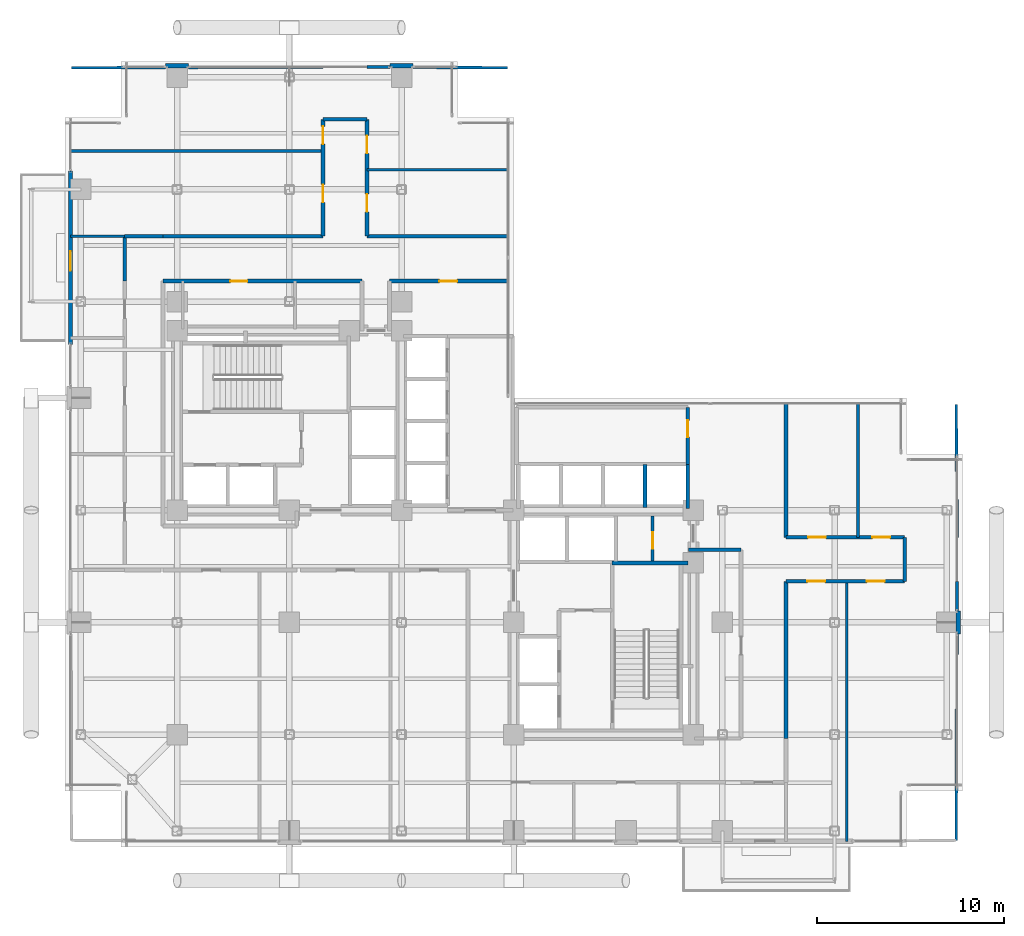
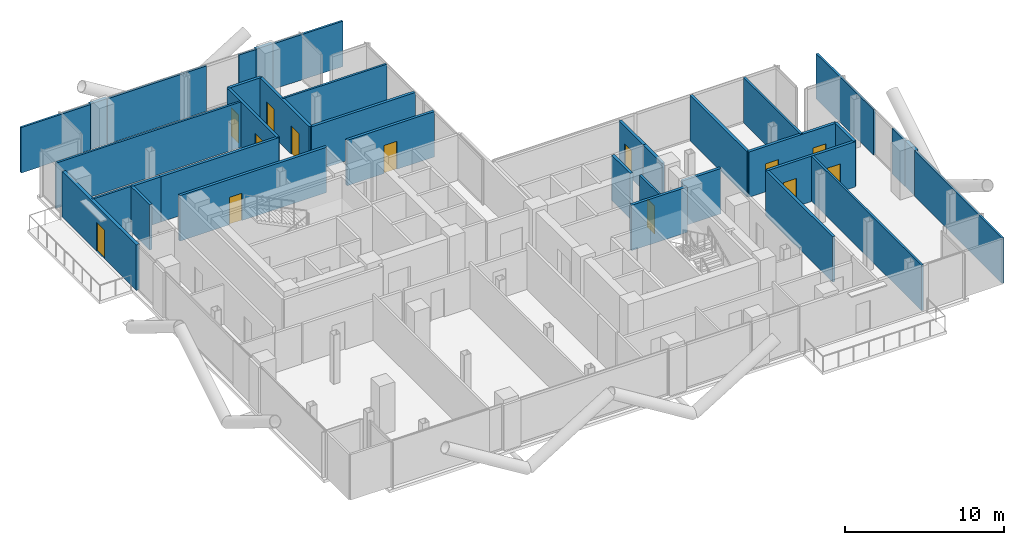
# One storey, part 24 of 28: 36 walls, 13 doors, 13 openings.
"""IFC4 building model written with IfcOpenShell, lengths in metres."""

from ifc_helpers import new_model, si_unit, direction, frame, frame_2d, origin, place, context, subcontext, project, spatial, rectangle, extrude, material, layer, layer_set, type_object, element, fill, save


model = new_model("IFC4")

# Units and contexts
model_context = context("Model", 3, precision=1e-05, world=origin(), true_north=direction((0.0, 1.0)))
body_context = subcontext(model_context, "Body", "Model", "MODEL_VIEW")
ifc_project = project(units=[si_unit("LENGTHUNIT", "METRE"), si_unit("AREAUNIT", "SQUARE_METRE"), si_unit("VOLUMEUNIT", "CUBIC_METRE"), si_unit("PLANEANGLEUNIT", "RADIAN"), si_unit("MASSUNIT", "GRAM", prefix="KILO"), si_unit("THERMODYNAMICTEMPERATUREUNIT", "KELVIN"), si_unit("POWERUNIT", "WATT")], contexts=[model_context])

# Site, building, storey
site_placement = place(None, origin())
site = spatial("IfcSite", under=ifc_project, at=site_placement, CompositionType="ELEMENT")
building_placement = place(site_placement, origin())
building = spatial("IfcBuilding", under=site, at=building_placement, Name="Svarakhadi Broadcast Tower", CompositionType="ELEMENT")
storey_placement = place(building_placement, frame((0.0, 0.0, 107.10009765625)))
storey = spatial("IfcBuildingStorey", under=building, at=storey_placement, Name="L25", CompositionType="ELEMENT", Elevation=107.10009765625)

# Walls
ifc_material_1 = material(Name="Double-Stud Acoustic Studio Partition STC-62", Category="gypsum")
ifc_layer_1 = layer(ifc_material_1, 0.199951171875)
ifc_layer_set_1 = layer_set([ifc_layer_1], Name="Double-Stud Acoustic Studio Partition STC-62")
wall_type_1 = type_object("IfcWallType", Name="Wall_Acoust_200", PredefinedType="PARTITIONING", material=ifc_layer_set_1)
wall_1_placement = place(storey_placement, frame((36.14990234375, 15.8798828125, 0.0), z_axis=(0.0, 0.0, 1.0), x_axis=(-1.0, 0.0, 0.0)))
element("IfcWall", 1, at=wall_1_placement, inside=storey, type_object=wall_type_1, Name="L25 Broadcast Corridor Wall", PredefinedType="PARTITIONING", context=body_context, shape_type="SweptSolid", body=[
    extrude(rectangle(XDim=2.809814453125, YDim=0.199951171875, at=frame_2d((1.40478515625, 0.0))), origin(), (0.0, 0.0, 1.0), 3.474853515625),
])
wall_2_placement = place(storey_placement, frame((38.550048828125, 23.699951171875, 0.0), z_axis=(0.0, 0.0, 1.0), x_axis=(0.0, -1.0, 0.0)))
element("IfcWall", 2, at=wall_2_placement, inside=storey, type_object=wall_type_1, Name="L25 Broadcast Corridor Wall", PredefinedType="PARTITIONING", context=body_context, shape_type="SweptSolid", body=[
    extrude(rectangle(XDim=7.14990234375, YDim=0.199951171875, at=frame_2d((3.574951171875, 0.0))), origin(), (0.0, 0.0, 1.0), 3.474853515625),
])

# Wall, openings, doors
wall_3_placement = place(storey_placement, frame((38.550048828125, 16.550048828125, 0.0), z_axis=(0.0, 0.0, 1.0), x_axis=(1.0, 0.0, 0.0)))
wall_3 = element("IfcWall", 3, at=wall_3_placement, inside=storey, type_object=wall_type_1, Name="L25 Broadcast Corridor Wall", PredefinedType="PARTITIONING", context=body_context, shape_type="SweptSolid", body=[
    extrude(rectangle(XDim=6.349853515625, YDim=0.199951171875, at=frame_2d((3.1748046875, 0.0))), origin(), (0.0, 0.0, 1.0), 3.474853515625),
])
opening_1_placement = place(wall_3_placement, frame((1.179931640625, 0.0, 0.0)))
opening_1 = element("IfcOpeningElement", 4, at=opening_1_placement, cuts=wall_3, Name="Opening D-06", PredefinedType="OPENING", context=body_context, shape_type="SweptSolid", body=[
    extrude(rectangle(XDim=0.949951171875, YDim=2.14990234375, at=frame_2d((0.47509765625, 1.074951171875))), frame((0.0, 0.10986328125, 0.0), z_axis=(0.0, -1.0, 0.0), x_axis=(1.0, 0.0, 0.0)), (0.0, 0.0, 1.0), 0.219970703125),
])
opening_2_placement = place(wall_3_placement, frame((4.625, 0.0, 0.0)))
opening_2 = element("IfcOpeningElement", 5, at=opening_2_placement, cuts=wall_3, Name="Opening D-07", PredefinedType="OPENING", context=body_context, shape_type="SweptSolid", body=[
    extrude(rectangle(XDim=0.949951171875, YDim=2.14990234375, at=frame_2d((0.47509765625, 1.074951171875))), frame((0.0, 0.10986328125, 0.0), z_axis=(0.0, -1.0, 0.0), x_axis=(1.0, 0.0, 0.0)), (0.0, 0.0, 1.0), 0.219970703125),
])
ifc_material_2 = material(Name="Solid-Core Teak Veneer Acoustic Timber Leaf", Category="wood")
door_type_1 = type_object("IfcDoorType", Name="Door_Office_D06", OperationType="SINGLE_SWING_LEFT", PredefinedType="DOOR", material=ifc_material_2)
door_1_placement = place(opening_1_placement, origin())
door_1 = element("IfcDoor", 6, at=door_1_placement, inside=storey, type_object=door_type_1, Name="L25 Broadcast Acoustic Booth Door", OperationType="SINGLE_SWING_LEFT", OverallHeight=2.14990234375, OverallWidth=0.949951171875, PredefinedType="DOOR", context=body_context, shape_type="SweptSolid", body=[
    extrude(rectangle(XDim=0.949951171875, YDim=2.14990234375, at=frame_2d((0.47509765625, 1.074951171875))), frame((0.0, 0.02490234375, 0.0), z_axis=(0.0, -1.0, 0.0), x_axis=(1.0, 0.0, 0.0)), (0.0, 0.0, 1.0), 0.050048828125),
])
fill(opening_1, door_1)
door_type_2 = type_object("IfcDoorType", Name="Door_Office_D07", OperationType="SINGLE_SWING_RIGHT", PredefinedType="DOOR", material=ifc_material_2)
door_2_placement = place(opening_2_placement, origin())
door_2 = element("IfcDoor", 7, at=door_2_placement, inside=storey, type_object=door_type_2, Name="L25 Broadcast Equipment Operations Room Door", OperationType="SINGLE_SWING_RIGHT", OverallHeight=2.14990234375, OverallWidth=0.949951171875, PredefinedType="DOOR", context=body_context, shape_type="SweptSolid", body=[
    extrude(rectangle(XDim=0.949951171875, YDim=2.14990234375, at=frame_2d((0.47509765625, 1.074951171875))), frame((0.0, 0.02490234375, 0.0), z_axis=(0.0, -1.0, 0.0), x_axis=(1.0, 0.0, 0.0)), (0.0, 0.0, 1.0), 0.050048828125),
])
fill(opening_2, door_2)

# Wall
wall_4_placement = place(storey_placement, frame((44.89990234375, 16.550048828125, 0.0), z_axis=(0.0, 0.0, 1.0), x_axis=(0.0, -1.0, 0.0)))
element("IfcWall", 8, at=wall_4_placement, inside=storey, type_object=wall_type_1, Name="L25 Broadcast Corridor Wall", PredefinedType="PARTITIONING", context=body_context, shape_type="SweptSolid", body=[
    extrude(rectangle(XDim=2.35009765625, YDim=0.199951171875, at=frame_2d((1.175048828125, 0.0))), origin(), (0.0, 0.0, 1.0), 3.474853515625),
])

# Wall, openings, doors
wall_5_placement = place(storey_placement, frame((44.89990234375, 14.199951171875, 0.0), z_axis=(0.0, 0.0, 1.0), x_axis=(-1.0, 0.0, 0.0)))
wall_5 = element("IfcWall", 9, at=wall_5_placement, inside=storey, type_object=wall_type_1, Name="L25 Broadcast Corridor Wall", PredefinedType="PARTITIONING", context=body_context, shape_type="SweptSolid", body=[
    extrude(rectangle(XDim=6.349853515625, YDim=0.199951171875, at=frame_2d((3.1748046875, 0.0))), origin(), (0.0, 0.0, 1.0), 3.474853515625),
])
opening_3_placement = place(wall_5_placement, frame((4.25, 0.0, 0.0)))
opening_3 = element("IfcOpeningElement", 10, at=opening_3_placement, cuts=wall_5, Name="Opening D-06", PredefinedType="OPENING", context=body_context, shape_type="SweptSolid", body=[
    extrude(rectangle(XDim=0.949951171875, YDim=2.14990234375, at=frame_2d((0.47509765625, 1.074951171875))), frame((0.0, 0.10986328125, 0.0), z_axis=(0.0, -1.0, 0.0), x_axis=(1.0, 0.0, 0.0)), (0.0, 0.0, 1.0), 0.219970703125),
])
opening_4_placement = place(wall_5_placement, frame((1.074951171875, 0.0, 0.0)))
opening_4 = element("IfcOpeningElement", 11, at=opening_4_placement, cuts=wall_5, Name="Opening D-07", PredefinedType="OPENING", context=body_context, shape_type="SweptSolid", body=[
    extrude(rectangle(XDim=0.949951171875, YDim=2.14990234375, at=frame_2d((0.47509765625, 1.074951171875))), frame((0.0, 0.10986328125, 0.0), z_axis=(0.0, -1.0, 0.0), x_axis=(1.0, 0.0, 0.0)), (0.0, 0.0, 1.0), 0.219970703125),
])
door_3_placement = place(opening_3_placement, origin())
door_3 = element("IfcDoor", 12, at=door_3_placement, inside=storey, type_object=door_type_1, Name="L25 Commentator Green Lounge Door", OperationType="SINGLE_SWING_LEFT", OverallHeight=2.14990234375, OverallWidth=0.949951171875, PredefinedType="DOOR", context=body_context, shape_type="SweptSolid", body=[
    extrude(rectangle(XDim=0.949951171875, YDim=2.14990234375, at=frame_2d((0.47509765625, 1.074951171875))), frame((0.0, 0.02490234375, 0.0), z_axis=(0.0, -1.0, 0.0), x_axis=(1.0, 0.0, 0.0)), (0.0, 0.0, 1.0), 0.050048828125),
])
fill(opening_3, door_3)
door_4_placement = place(opening_4_placement, origin())
door_4 = element("IfcDoor", 13, at=door_4_placement, inside=storey, type_object=door_type_2, Name="L25 Match-Day Crew Dining Room Door", OperationType="SINGLE_SWING_RIGHT", OverallHeight=2.14990234375, OverallWidth=0.949951171875, PredefinedType="DOOR", context=body_context, shape_type="SweptSolid", body=[
    extrude(rectangle(XDim=0.949951171875, YDim=2.14990234375, at=frame_2d((0.47509765625, 1.074951171875))), frame((0.0, 0.02490234375, 0.0), z_axis=(0.0, -1.0, 0.0), x_axis=(1.0, 0.0, 0.0)), (0.0, 0.0, 1.0), 0.050048828125),
])
fill(opening_4, door_4)

# Walls
wall_6_placement = place(storey_placement, frame((38.550048828125, 14.199951171875, 0.0), z_axis=(0.0, 0.0, 1.0), x_axis=(0.0, -1.0, 0.0)))
element("IfcWall", 14, at=wall_6_placement, inside=storey, type_object=wall_type_1, Name="L25 Broadcast Corridor Wall", PredefinedType="PARTITIONING", context=body_context, shape_type="SweptSolid", body=[
    extrude(rectangle(XDim=8.39990234375, YDim=0.199951171875, at=frame_2d((4.199951171875, 0.0))), origin(), (0.0, 0.0, 1.0), 3.474853515625),
])
wall_7_placement = place(storey_placement, frame((3.199951171875, 30.25, 0.0), z_axis=(0.0, 0.0, 1.0), x_axis=(0.0, 1.0, 0.0)))
element("IfcWall", 15, at=wall_7_placement, inside=storey, type_object=wall_type_1, Name="L25 Broadcast Corridor Wall", PredefinedType="PARTITIONING", context=body_context, shape_type="SweptSolid", body=[
    extrude(rectangle(XDim=2.39990234375, YDim=0.199951171875, at=frame_2d((1.199951171875, 0.0))), origin(), (0.0, 0.0, 1.0), 3.474853515625),
])
wall_8_placement = place(storey_placement, frame((3.199951171875, 32.64990234375, 0.0), z_axis=(0.0, 0.0, 1.0), x_axis=(1.0, 0.0, 0.0)))
element("IfcWall", 16, at=wall_8_placement, inside=storey, type_object=wall_type_1, Name="L25 Broadcast Corridor Wall", PredefinedType="PARTITIONING", context=body_context, shape_type="SweptSolid", body=[
    extrude(rectangle(XDim=2.050048828125, YDim=0.199951171875, at=frame_2d((1.02490234375, 0.0))), origin(), (0.0, 0.0, 1.0), 3.474853515625),
])
wall_9_placement = place(storey_placement, frame((5.25, 32.64990234375, 0.0), z_axis=(0.0, 0.0, 1.0), x_axis=(1.0, 0.0, 0.0)))
element("IfcWall", 17, at=wall_9_placement, inside=storey, type_object=wall_type_1, Name="L25 Broadcast Corridor Wall", PredefinedType="PARTITIONING", context=body_context, shape_type="SweptSolid", body=[
    extrude(rectangle(XDim=8.550048828125, YDim=0.199951171875, at=frame_2d((4.27490234375, 0.0))), origin(), (0.0, 0.0, 1.0), 3.474853515625),
])

# Wall, openings, doors
wall_10_placement = place(storey_placement, frame((13.800048828125, 32.64990234375, 0.0), z_axis=(0.0, 0.0, 1.0), x_axis=(0.0, 1.0, 0.0)))
wall_10 = element("IfcWall", 18, at=wall_10_placement, inside=storey, type_object=wall_type_1, Name="L25 Broadcast Corridor Wall", PredefinedType="PARTITIONING", context=body_context, shape_type="SweptSolid", body=[
    extrude(rectangle(XDim=6.25, YDim=0.199951171875, at=frame_2d((3.125, 0.0))), origin(), (0.0, 0.0, 1.0), 3.474853515625),
])
opening_5_placement = place(wall_10_placement, frame((1.800048828125, 0.0, 0.0)))
opening_5 = element("IfcOpeningElement", 19, at=opening_5_placement, cuts=wall_10, Name="Opening D-07", PredefinedType="OPENING", context=body_context, shape_type="SweptSolid", body=[
    extrude(rectangle(XDim=0.949951171875, YDim=2.14990234375, at=frame_2d((0.47509765625, 1.074951171875))), frame((0.0, 0.10986328125, 0.0), z_axis=(0.0, -1.0, 0.0), x_axis=(1.0, 0.0, 0.0)), (0.0, 0.0, 1.0), 0.219970703125),
])
opening_6_placement = place(wall_10_placement, frame((4.925048828125, 0.0, 0.0)))
opening_6 = element("IfcOpeningElement", 20, at=opening_6_placement, cuts=wall_10, Name="Opening D-06", PredefinedType="OPENING", context=body_context, shape_type="SweptSolid", body=[
    extrude(rectangle(XDim=0.949951171875, YDim=2.14990234375, at=frame_2d((0.47509765625, 1.074951171875))), frame((0.0, 0.10986328125, 0.0), z_axis=(0.0, -1.0, 0.0), x_axis=(1.0, 0.0, 0.0)), (0.0, 0.0, 1.0), 0.219970703125),
])
door_5_placement = place(opening_6_placement, origin())
door_5 = element("IfcDoor", 21, at=door_5_placement, inside=storey, type_object=door_type_1, Name="L25 Crew Refreshment Kitchen Door", OperationType="SINGLE_SWING_LEFT", OverallHeight=2.14990234375, OverallWidth=0.949951171875, PredefinedType="DOOR", context=body_context, shape_type="SweptSolid", body=[
    extrude(rectangle(XDim=0.949951171875, YDim=2.14990234375, at=frame_2d((0.47509765625, 1.074951171875))), frame((0.0, 0.02490234375, 0.0), z_axis=(0.0, -1.0, 0.0), x_axis=(1.0, 0.0, 0.0)), (0.0, 0.0, 1.0), 0.050048828125),
])
fill(opening_6, door_5)
door_6_placement = place(opening_5_placement, origin())
door_6 = element("IfcDoor", 22, at=door_6_placement, inside=storey, type_object=door_type_2, Name="L25 Sports Analytics Office Door", OperationType="SINGLE_SWING_RIGHT", OverallHeight=2.14990234375, OverallWidth=0.949951171875, PredefinedType="DOOR", context=body_context, shape_type="SweptSolid", body=[
    extrude(rectangle(XDim=0.949951171875, YDim=2.14990234375, at=frame_2d((0.47509765625, 1.074951171875))), frame((0.0, 0.02490234375, 0.0), z_axis=(0.0, -1.0, 0.0), x_axis=(1.0, 0.0, 0.0)), (0.0, 0.0, 1.0), 0.050048828125),
])
fill(opening_5, door_6)

# Wall
wall_11_placement = place(storey_placement, frame((13.800048828125, 38.89990234375, 0.0), z_axis=(0.0, 0.0, 1.0), x_axis=(1.0, 0.0, 0.0)))
element("IfcWall", 23, at=wall_11_placement, inside=storey, type_object=wall_type_1, Name="L25 Broadcast Corridor Wall", PredefinedType="PARTITIONING", context=body_context, shape_type="SweptSolid", body=[
    extrude(rectangle(XDim=2.349853515625, YDim=0.199951171875, at=frame_2d((1.1748046875, 0.0))), origin(), (0.0, 0.0, 1.0), 3.474853515625),
])

# Wall, openings, doors
wall_12_placement = place(storey_placement, frame((16.14990234375, 38.89990234375, 0.0), z_axis=(0.0, 0.0, 1.0), x_axis=(0.0, -1.0, 0.0)))
wall_12 = element("IfcWall", 24, at=wall_12_placement, inside=storey, type_object=wall_type_1, Name="L25 Broadcast Corridor Wall", PredefinedType="PARTITIONING", context=body_context, shape_type="SweptSolid", body=[
    extrude(rectangle(XDim=6.25, YDim=0.199951171875, at=frame_2d((3.125, 0.0))), origin(), (0.0, 0.0, 1.0), 3.474853515625),
])
opening_7_placement = place(wall_12_placement, frame((4.0, 0.0, 0.0)))
opening_7 = element("IfcOpeningElement", 25, at=opening_7_placement, cuts=wall_12, Name="Opening D-07", PredefinedType="OPENING", context=body_context, shape_type="SweptSolid", body=[
    extrude(rectangle(XDim=0.949951171875, YDim=2.14990234375, at=frame_2d((0.47509765625, 1.074951171875))), frame((0.0, 0.10986328125, 0.0), z_axis=(0.0, -1.0, 0.0), x_axis=(1.0, 0.0, 0.0)), (0.0, 0.0, 1.0), 0.219970703125),
])
opening_8_placement = place(wall_12_placement, frame((0.875, 0.0, 0.0)))
opening_8 = element("IfcOpeningElement", 26, at=opening_8_placement, cuts=wall_12, Name="Opening D-06", PredefinedType="OPENING", context=body_context, shape_type="SweptSolid", body=[
    extrude(rectangle(XDim=0.949951171875, YDim=2.14990234375, at=frame_2d((0.47509765625, 1.074951171875))), frame((0.0, 0.10986328125, 0.0), z_axis=(0.0, -1.0, 0.0), x_axis=(1.0, 0.0, 0.0)), (0.0, 0.0, 1.0), 0.219970703125),
])
door_7_placement = place(opening_8_placement, origin())
door_7 = element("IfcDoor", 27, at=door_7_placement, inside=storey, type_object=door_type_1, Name="L25 Live Broadcast Graphics Pod Door", OperationType="SINGLE_SWING_LEFT", OverallHeight=2.14990234375, OverallWidth=0.949951171875, PredefinedType="DOOR", context=body_context, shape_type="SweptSolid", body=[
    extrude(rectangle(XDim=0.949951171875, YDim=2.14990234375, at=frame_2d((0.47509765625, 1.074951171875))), frame((0.0, 0.02490234375, 0.0), z_axis=(0.0, -1.0, 0.0), x_axis=(1.0, 0.0, 0.0)), (0.0, 0.0, 1.0), 0.050048828125),
])
fill(opening_8, door_7)
door_8_placement = place(opening_7_placement, origin())
door_8 = element("IfcDoor", 28, at=door_8_placement, inside=storey, type_object=door_type_2, Name="L25 Camera Rig Preparation Studio Door", OperationType="SINGLE_SWING_RIGHT", OverallHeight=2.14990234375, OverallWidth=0.949951171875, PredefinedType="DOOR", context=body_context, shape_type="SweptSolid", body=[
    extrude(rectangle(XDim=0.949951171875, YDim=2.14990234375, at=frame_2d((0.47509765625, 1.074951171875))), frame((0.0, 0.02490234375, 0.0), z_axis=(0.0, -1.0, 0.0), x_axis=(1.0, 0.0, 0.0)), (0.0, 0.0, 1.0), 0.050048828125),
])
fill(opening_7, door_8)

# Wall
wall_13_placement = place(storey_placement, frame((16.14990234375, 32.64990234375, 0.0), z_axis=(0.0, 0.0, 1.0), x_axis=(1.0, 0.0, 0.0)))
element("IfcWall", 29, at=wall_13_placement, inside=storey, type_object=wall_type_1, Name="L25 Broadcast Corridor Wall", PredefinedType="PARTITIONING", context=body_context, shape_type="SweptSolid", body=[
    extrude(rectangle(XDim=7.550048828125, YDim=0.199951171875, at=frame_2d((3.77490234375, 0.0))), origin(), (0.0, 0.0, 1.0), 3.474853515625),
])

# Wall, opening, door
wall_14_placement = place(storey_placement, frame((23.699951171875, 30.25, 0.0), z_axis=(0.0, 0.0, 1.0), x_axis=(-1.0, 0.0, 0.0)))
wall_14 = element("IfcWall", 30, at=wall_14_placement, inside=storey, type_object=wall_type_1, Name="L25 Broadcast Corridor Wall", PredefinedType="PARTITIONING", context=body_context, shape_type="SweptSolid", body=[
    extrude(rectangle(XDim=6.349853515625, YDim=0.199951171875, at=frame_2d((3.1748046875, 0.0))), origin(), (0.0, 0.0, 1.0), 3.474853515625),
])
opening_9_placement = place(wall_14_placement, frame((2.72509765625, 0.0, 0.0)))
opening_9 = element("IfcOpeningElement", 31, at=opening_9_placement, cuts=wall_14, Name="Opening D-07", PredefinedType="OPENING", context=body_context, shape_type="SweptSolid", body=[
    extrude(rectangle(XDim=0.949951171875, YDim=2.14990234375, at=frame_2d((0.47509765625, 1.074951171875))), frame((0.0, 0.10986328125, 0.0), z_axis=(0.0, -1.0, 0.0), x_axis=(1.0, 0.0, 0.0)), (0.0, 0.0, 1.0), 0.219970703125),
])
door_9_placement = place(opening_9_placement, origin())
door_9 = element("IfcDoor", 32, at=door_9_placement, inside=storey, type_object=door_type_2, Name="L25 Production Continuity Office Door", OperationType="SINGLE_SWING_RIGHT", OverallHeight=2.14990234375, OverallWidth=0.949951171875, PredefinedType="DOOR", context=body_context, shape_type="SweptSolid", body=[
    extrude(rectangle(XDim=0.949951171875, YDim=2.14990234375, at=frame_2d((0.47509765625, 1.074951171875))), frame((0.0, 0.02490234375, 0.0), z_axis=(0.0, -1.0, 0.0), x_axis=(1.0, 0.0, 0.0)), (0.0, 0.0, 1.0), 0.050048828125),
])
fill(opening_9, door_9)

wall_15_placement = place(storey_placement, frame((15.8798828125, 30.25, 0.0), z_axis=(0.0, 0.0, 1.0), x_axis=(-1.0, 0.0, 0.0)))
wall_15 = element("IfcWall", 33, at=wall_15_placement, inside=storey, type_object=wall_type_1, Name="L25 Broadcast Corridor Wall", PredefinedType="PARTITIONING", context=body_context, shape_type="SweptSolid", body=[
    extrude(rectangle(XDim=10.6298828125, YDim=0.199951171875, at=frame_2d((5.31494140625, 0.0))), origin(), (0.0, 0.0, 1.0), 3.474853515625),
])
opening_10_placement = place(wall_15_placement, frame((6.1298828125, 0.0, 0.0)))
opening_10 = element("IfcOpeningElement", 34, at=opening_10_placement, cuts=wall_15, Name="Opening D-12", PredefinedType="OPENING", context=body_context, shape_type="SweptSolid", body=[
    extrude(rectangle(XDim=0.89990234375, YDim=2.10009765625, at=frame_2d((0.449951171875, 1.050048828125))), frame((0.0, 0.10986328125, 0.0), z_axis=(0.0, -1.0, 0.0), x_axis=(1.0, 0.0, 0.0)), (0.0, 0.0, 1.0), 0.219970703125),
])
door_type_3 = type_object("IfcDoorType", Name="Door_WC_D01", OperationType="SINGLE_SWING_LEFT", PredefinedType="DOOR", material=ifc_material_2)
door_10_placement = place(opening_10_placement, origin())
door_10 = element("IfcDoor", 35, at=door_10_placement, inside=storey, type_object=door_type_3, Name="L25 Accessible Toilet WC Door", OperationType="SINGLE_SWING_LEFT", OverallHeight=2.10009765625, OverallWidth=0.89990234375, PredefinedType="DOOR", context=body_context, shape_type="SweptSolid", body=[
    extrude(rectangle(XDim=0.89990234375, YDim=2.10009765625, at=frame_2d((0.449951171875, 1.050048828125))), frame((0.0, 0.02490234375, 0.0), z_axis=(0.0, -1.0, 0.0), x_axis=(1.0, 0.0, 0.0)), (0.0, 0.0, 1.0), 0.050048828125),
])
fill(opening_10, door_10)

ifc_material_3 = material(Name="Concrete C40/50 (IS 456 M50)", Category="concrete")
ifc_layer_2 = layer(ifc_material_3, 0.239990234375)
ifc_layer_set_2 = layer_set([ifc_layer_2], Name="Concrete C40/50 (IS 456 M50)")
wall_type_2 = type_object("IfcWallType", Name="Wall_Ext_240", PredefinedType="SOLIDWALL", material=ifc_layer_set_2)
wall_16_placement = place(storey_placement, frame((0.300048828125, 26.85498046875, 0.0), z_axis=(0.0, 0.0, 1.0), x_axis=(0.0, 1.0, 0.0)))
wall_16 = element("IfcWall", 36, at=wall_16_placement, inside=storey, type_object=wall_type_2, Name="L25 West Tree Balcony Spandrel Wall", PredefinedType="SOLIDWALL", context=body_context, shape_type="SweptSolid", body=[
    extrude(rectangle(XDim=9.2900390625, YDim=0.239990234375, at=frame_2d((4.64501953125, 0.0))), origin(), (0.0, 0.0, 1.0), 3.474853515625),
])
opening_11_placement = place(wall_16_placement, frame((3.945068359375, 0.0, 0.0)))
opening_11 = element("IfcOpeningElement", 37, at=opening_11_placement, cuts=wall_16, Name="Opening ED-06", PredefinedType="OPENING", context=body_context, shape_type="SweptSolid", body=[
    extrude(rectangle(XDim=1.050048828125, YDim=2.199951171875, at=frame_2d((0.52490234375, 1.10009765625))), frame((0.0, 0.1298828125, 0.0), z_axis=(0.0, -1.0, 0.0), x_axis=(1.0, 0.0, 0.0)), (0.0, 0.0, 1.0), 0.260009765625),
])
ifc_material_4 = material(Name="Anodised Bronze Aluminium AA 6063-T6", Category="aluminium")
door_type_4 = type_object("IfcDoorType", Name="Door_Ext_ED06", OperationType="SINGLE_SWING_RIGHT", PredefinedType="DOOR", material=ifc_material_4)
door_11_placement = place(opening_11_placement, origin())
door_11 = element("IfcDoor", 38, at=door_11_placement, inside=storey, type_object=door_type_4, Name="L25 West Tree Balcony Door", OperationType="SINGLE_SWING_RIGHT", OverallHeight=2.199951171875, OverallWidth=1.050048828125, PredefinedType="DOOR", context=body_context, shape_type="SweptSolid", body=[
    extrude(rectangle(XDim=1.050048828125, YDim=2.199951171875, at=frame_2d((0.52490234375, 1.10009765625))), frame((0.0, 0.02490234375, 0.0), z_axis=(0.0, -1.0, 0.0), x_axis=(1.0, 0.0, 0.0)), (0.0, 0.0, 1.0), 0.050048828125),
])
fill(opening_11, door_11)

# Walls
for number, where, z_axis, x_axis, name in (
    (39, (5.385009765625, 41.760009765625, 0.0), (0.0, 0.0, 1.0), (1.0, 0.0, 0.0), "L25 Perimeter Bronze Spandrel Closure Wall 03"),
    (40, (17.385009765625, 41.760009765625, 0.0), (0.0, 0.0, 1.0), (1.0, 0.0, 0.0), "L25 Perimeter Bronze Spandrel Closure Wall 04"),
    (41, (47.760009765625, 12.614990234375, 0.0), (0.0, 0.0, 1.0), (0.0, -1.0, 0.0), "L25 Perimeter Bronze Spandrel Closure Wall 05"),
):
    element("IfcWall", number, at=place(storey_placement, frame(where, z_axis=z_axis, x_axis=x_axis)), inside=storey, type_object=wall_type_2, Name=name, PredefinedType="SOLIDWALL", context=body_context, shape_type="SweptSolid", body=[
        extrude(rectangle(XDim=1.22998046875, YDim=0.239990234375, at=frame_2d((0.614990234375, 0.0))), origin(), (0.0, 0.0, 1.0), 3.474853515625),
    ])

# Wall, opening, door
ifc_material_5 = material(Name="Autoclaved Aerated Concrete Blockwork 150 mm", Category="masonry")
ifc_layer_3 = layer(ifc_material_5, 0.14990234375)
ifc_layer_set_3 = layer_set([ifc_layer_3], Name="Autoclaved Aerated Concrete Blockwork 150 mm")
wall_type_3 = type_object("IfcWallType", Name="Wall_Part_150", PredefinedType="PARTITIONING", material=ifc_layer_set_3)
wall_17_placement = place(storey_placement, frame((31.419921875, 15.280029296875, 0.0), z_axis=(0.0, 0.0, 1.0), x_axis=(0.0, 1.0, 0.0)))
wall_17 = element("IfcWall", 42, at=wall_17_placement, inside=storey, type_object=wall_type_3, Name="L25 Core Service Split Wall", PredefinedType="PARTITIONING", context=body_context, shape_type="SweptSolid", body=[
    extrude(rectangle(XDim=2.419921875, YDim=0.14990234375, at=frame_2d((1.2099609375, 0.0))), origin(), (0.0, 0.0, 1.0), 3.474853515625),
])
opening_12_placement = place(wall_17_placement, frame((0.64990234375, 0.0, 0.0)))
opening_12 = element("IfcOpeningElement", 43, at=opening_12_placement, cuts=wall_17, Name="Opening D-03", PredefinedType="OPENING", context=body_context, shape_type="SweptSolid", body=[
    extrude(rectangle(XDim=0.89990234375, YDim=2.14990234375, at=frame_2d((0.449951171875, 1.074951171875))), frame((0.0, 0.0849609375, 0.0), z_axis=(0.0, -1.0, 0.0), x_axis=(1.0, 0.0, 0.0)), (0.0, 0.0, 1.0), 0.169921875),
])
ifc_material_6 = material(Name="Galvanised Powder-Coated Fire-Rated Steel Leaf", Category="steel")
door_type_5 = type_object("IfcDoorType", Name="Door_Fire_D03", OperationType="SINGLE_SWING_LEFT", PredefinedType="DOOR", material=ifc_material_6)
door_12_placement = place(opening_12_placement, origin())
door_12 = element("IfcDoor", 44, at=door_12_placement, inside=storey, type_object=door_type_5, Name="L25 Core Inner Riser Store Door", OperationType="SINGLE_SWING_LEFT", OverallHeight=2.14990234375, OverallWidth=0.89990234375, PredefinedType="DOOR", context=body_context, shape_type="SweptSolid", body=[
    extrude(rectangle(XDim=0.89990234375, YDim=2.14990234375, at=frame_2d((0.449951171875, 1.074951171875))), frame((0.0, 0.02490234375, 0.0), z_axis=(0.0, -1.0, 0.0), x_axis=(1.0, 0.0, 0.0)), (0.0, 0.0, 1.0), 0.050048828125),
])
fill(opening_12, door_12)

# Walls
wall_18_placement = place(storey_placement, frame((41.800048828125, 0.300048828125, 0.0), z_axis=(0.0, 0.0, 1.0), x_axis=(0.0, 1.0, 0.0)))
element("IfcWall", 45, at=wall_18_placement, inside=storey, type_object=wall_type_3, Name="L25 Commentator Green Lounge Wall", PredefinedType="PARTITIONING", context=body_context, shape_type="SweptSolid", body=[
    extrude(rectangle(XDim=13.89990234375, YDim=0.14990234375, at=frame_2d((6.949951171875, 0.0))), origin(), (0.0, 0.0, 1.0), 3.474853515625),
])
wall_19_placement = place(storey_placement, frame((47.64990234375, 0.35009765625, 0.0), z_axis=(0.0, 0.0, 1.0), x_axis=(0.003606251025, 0.999993497456, 0.0)))
element("IfcWall", 46, at=wall_19_placement, inside=storey, type_object=wall_type_3, Name="L25 Match-Day Crew Dining Room Wall", PredefinedType="PARTITIONING", context=body_context, shape_type="SweptSolid", body=[
    extrude(rectangle(XDim=11.034912109375, YDim=0.14990234375, at=frame_2d((5.517578125, 0.0))), origin(), (0.0, 0.0, 1.0), 3.474853515625),
])
wall_20_placement = place(storey_placement, frame((47.6943359375, 12.614990234375, 0.0), z_axis=(0.0, 0.0, 1.0), x_axis=(0.003542799701, 0.999993724265, 0.0)))
element("IfcWall", 47, at=wall_20_placement, inside=storey, type_object=wall_type_3, Name="L25 Match-Day Crew Dining Room Wall", PredefinedType="PARTITIONING", context=body_context, shape_type="SweptSolid", body=[
    extrude(rectangle(XDim=1.5849609375, YDim=0.14990234375, at=frame_2d((0.79248046875, 0.0))), origin(), (0.0, 0.0, 1.0), 3.474853515625),
])
wall_21_placement = place(storey_placement, frame((42.39990234375, 16.550048828125, 0.0), z_axis=(0.0, 0.0, 1.0), x_axis=(0.0, 1.0, 0.0)))
element("IfcWall", 48, at=wall_21_placement, inside=storey, type_object=wall_type_3, Name="L25 Broadcast Acoustic Booth Wall", PredefinedType="PARTITIONING", context=body_context, shape_type="SweptSolid", body=[
    extrude(rectangle(XDim=7.14990234375, YDim=0.14990234375, at=frame_2d((3.574951171875, 0.0))), origin(), (0.0, 0.0, 1.0), 3.474853515625),
])
wall_22_placement = place(storey_placement, frame((47.699951171875, 16.550048828125, 0.0), z_axis=(0.0, 0.0, 1.0), x_axis=(-0.007049101019, 0.999975154779, 0.0)))
element("IfcWall", 49, at=wall_22_placement, inside=storey, type_object=wall_type_3, Name="L25 Broadcast Equipment Operations Room Wall", PredefinedType="PARTITIONING", context=body_context, shape_type="SweptSolid", body=[
    extrude(rectangle(XDim=7.10009765625, YDim=0.14990234375, at=frame_2d((3.550048828125, 0.0))), origin(), (0.0, 0.0, 1.0), 3.474853515625),
])
wall_23_placement = place(storey_placement, frame((0.300048828125, 37.199951171875, 0.0), z_axis=(0.0, 0.0, 1.0), x_axis=(1.0, 0.0, 0.0)))
element("IfcWall", 50, at=wall_23_placement, inside=storey, type_object=wall_type_3, Name="L25 Sports Analytics Office Wall", PredefinedType="PARTITIONING", context=body_context, shape_type="SweptSolid", body=[
    extrude(rectangle(XDim=13.5, YDim=0.14990234375, at=frame_2d((6.75, 0.0))), origin(), (0.0, 0.0, 1.0), 3.474853515625),
])
wall_24_placement = place(storey_placement, frame((0.35009765625, 41.64990234375, 0.0), z_axis=(0.0, 0.0, 1.0), x_axis=(0.999993029832, 0.003733669364, 0.0)))
element("IfcWall", 51, at=wall_24_placement, inside=storey, type_object=wall_type_3, Name="L25 Crew Refreshment Kitchen Wall", PredefinedType="PARTITIONING", context=body_context, shape_type="SweptSolid", body=[
    extrude(rectangle(XDim=5.034912109375, YDim=0.14990234375, at=frame_2d((2.517578125, 0.0))), origin(), (0.0, 0.0, 1.0), 3.474853515625),
])
wall_25_placement = place(storey_placement, frame((6.614990234375, 41.67333984375, 0.0), z_axis=(0.0, 0.0, 1.0), x_axis=(0.99999314136, 0.003703678301, 0.0)))
element("IfcWall", 52, at=wall_25_placement, inside=storey, type_object=wall_type_3, Name="L25 Crew Refreshment Kitchen Wall", PredefinedType="PARTITIONING", context=body_context, shape_type="SweptSolid", body=[
    extrude(rectangle(XDim=7.18505859375, YDim=0.14990234375, at=frame_2d((3.592529296875, 0.0))), origin(), (0.0, 0.0, 1.0), 3.474853515625),
])
wall_26_placement = place(storey_placement, frame((16.14990234375, 36.199951171875, 0.0), z_axis=(0.0, 0.0, 1.0), x_axis=(1.0, 0.0, 0.0)))
element("IfcWall", 53, at=wall_26_placement, inside=storey, type_object=wall_type_3, Name="L25 Camera Rig Preparation Studio Wall", PredefinedType="PARTITIONING", context=body_context, shape_type="SweptSolid", body=[
    extrude(rectangle(XDim=7.550048828125, YDim=0.14990234375, at=frame_2d((3.77490234375, 0.0))), origin(), (0.0, 0.0, 1.0), 3.474853515625),
])
wall_27_placement = place(storey_placement, frame((16.14990234375, 41.699951171875, 0.0), z_axis=(0.0, 0.0, 1.0), x_axis=(0.99997872573, -0.006522889494, 0.0)))
element("IfcWall", 54, at=wall_27_placement, inside=storey, type_object=wall_type_3, Name="L25 Live Broadcast Graphics Pod Wall", PredefinedType="PARTITIONING", context=body_context, shape_type="SweptSolid", body=[
    extrude(rectangle(XDim=1.235107421875, YDim=0.14990234375, at=frame_2d((0.61767578125, 0.0))), origin(), (0.0, 0.0, 1.0), 3.474853515625),
])
wall_28_placement = place(storey_placement, frame((18.614990234375, 41.68359375, 0.0), z_axis=(0.0, 0.0, 1.0), x_axis=(0.999977612278, -0.006691408161, 0.0)))
element("IfcWall", 55, at=wall_28_placement, inside=storey, type_object=wall_type_3, Name="L25 Live Broadcast Graphics Pod Wall", PredefinedType="PARTITIONING", context=body_context, shape_type="SweptSolid", body=[
    extrude(rectangle(XDim=5.034912109375, YDim=0.14990234375, at=frame_2d((2.517578125, 0.0))), origin(), (0.0, 0.0, 1.0), 3.474853515625),
])
wall_29_placement = place(storey_placement, frame((0.300048828125, 32.64990234375, 0.0), z_axis=(0.0, 0.0, 1.0), x_axis=(1.0, 0.0, 0.0)))
element("IfcWall", 56, at=wall_29_placement, inside=storey, type_object=wall_type_3, Name="L25 Producer Quiet Lounge Wall", PredefinedType="PARTITIONING", context=body_context, shape_type="SweptSolid", body=[
    extrude(rectangle(XDim=2.89990234375, YDim=0.14990234375, at=frame_2d((1.449951171875, 0.0))), origin(), (0.0, 0.0, 1.0), 3.474853515625),
])
ifc_material_7 = material(Name="Concrete C50/60 (IS 456 M60)", Category="concrete")
ifc_layer_4 = layer(ifc_material_7, 0.199951171875)
ifc_layer_set_4 = layer_set([ifc_layer_4], Name="Concrete C50/60 (IS 456 M60)")
wall_type_4 = type_object("IfcWallType", Name="Wall_Shear_200", PredefinedType="SHEAR", material=ifc_layer_set_4)
wall_30_placement = place(storey_placement, frame((29.260009765625, 15.179931640625, 0.0), z_axis=(0.0, 0.0, 1.0), x_axis=(1.0, 0.0, 0.0)))
element("IfcWall", 57, at=wall_30_placement, inside=storey, type_object=wall_type_4, Name="L25 Stair ST-02 North RC Shaft Wall", PredefinedType="SHEAR", context=body_context, shape_type="SweptSolid", body=[
    extrude(rectangle(XDim=4.0400390625, YDim=0.199951171875, at=frame_2d((2.02001953125, 0.0))), origin(), (0.0, 0.0, 1.0), 3.474853515625),
])
wall_31_placement = place(storey_placement, frame((33.300048828125, 18.10009765625, 0.0), z_axis=(0.0, 0.0, 1.0), x_axis=(0.0, 1.0, 0.0)))
element("IfcWall", 58, at=wall_31_placement, inside=storey, type_object=wall_type_4, Name="L25 Bank B East Shaft Wall", PredefinedType="SHEAR", context=body_context, shape_type="SweptSolid", body=[
    extrude(rectangle(XDim=2.349853515625, YDim=0.199951171875, at=frame_2d((1.1748046875, 0.0))), origin(), (0.0, 0.0, 1.0), 3.474853515625),
])
wall_32_placement = place(storey_placement, frame((31.02001953125, 18.14990234375, 0.0), z_axis=(0.0, 0.0, 1.0), x_axis=(0.0, 1.0, 0.0)))
element("IfcWall", 59, at=wall_32_placement, inside=storey, type_object=wall_type_4, Name="L25 Bank B Divider", PredefinedType="SHEAR", context=body_context, shape_type="SweptSolid", body=[
    extrude(rectangle(XDim=2.300048828125, YDim=0.199951171875, at=frame_2d((1.14990234375, 0.0))), origin(), (0.0, 0.0, 1.0), 3.474853515625),
])

# Wall, opening, door
wall_33_placement = place(storey_placement, frame((33.300048828125, 20.449951171875, 0.0), z_axis=(0.0, 0.0, 1.0), x_axis=(0.0, 1.0, 0.0)))
wall_33 = element("IfcWall", 60, at=wall_33_placement, inside=storey, type_object=wall_type_4, Name="L25 Bank B Lift Hall East Wall", PredefinedType="SHEAR", context=body_context, shape_type="SweptSolid", body=[
    extrude(rectangle(XDim=3.050048828125, YDim=0.199951171875, at=frame_2d((1.52490234375, 0.0))), origin(), (0.0, 0.0, 1.0), 3.474853515625),
])
opening_13_placement = place(wall_33_placement, frame((1.449951171875, 0.0, 0.0)))
opening_13 = element("IfcOpeningElement", 61, at=opening_13_placement, cuts=wall_33, Name="Opening D-03", PredefinedType="OPENING", context=body_context, shape_type="SweptSolid", body=[
    extrude(rectangle(XDim=0.89990234375, YDim=2.14990234375, at=frame_2d((0.449951171875, 1.074951171875))), frame((0.0, 0.10986328125, 0.0), z_axis=(0.0, -1.0, 0.0), x_axis=(1.0, 0.0, 0.0)), (0.0, 0.0, 1.0), 0.219970703125),
])
door_13_placement = place(opening_13_placement, origin())
door_13 = element("IfcDoor", 62, at=door_13_placement, inside=storey, type_object=door_type_5, Name="L25 Mid-Rise Lift Hall East Corridor Door", OperationType="SINGLE_SWING_LEFT", OverallHeight=2.14990234375, OverallWidth=0.89990234375, PredefinedType="DOOR", context=body_context, shape_type="SweptSolid", body=[
    extrude(rectangle(XDim=0.89990234375, YDim=2.14990234375, at=frame_2d((0.449951171875, 1.074951171875))), frame((0.0, 0.02490234375, 0.0), z_axis=(0.0, -1.0, 0.0), x_axis=(1.0, 0.0, 0.0)), (0.0, 0.0, 1.0), 0.050048828125),
])
fill(opening_13, door_13)

save(model, "model.ifc")
